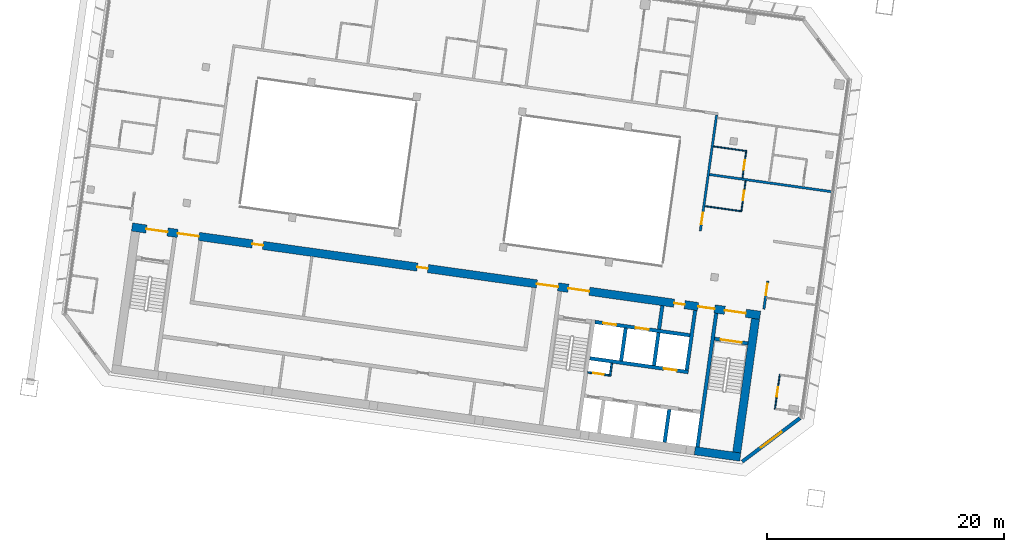
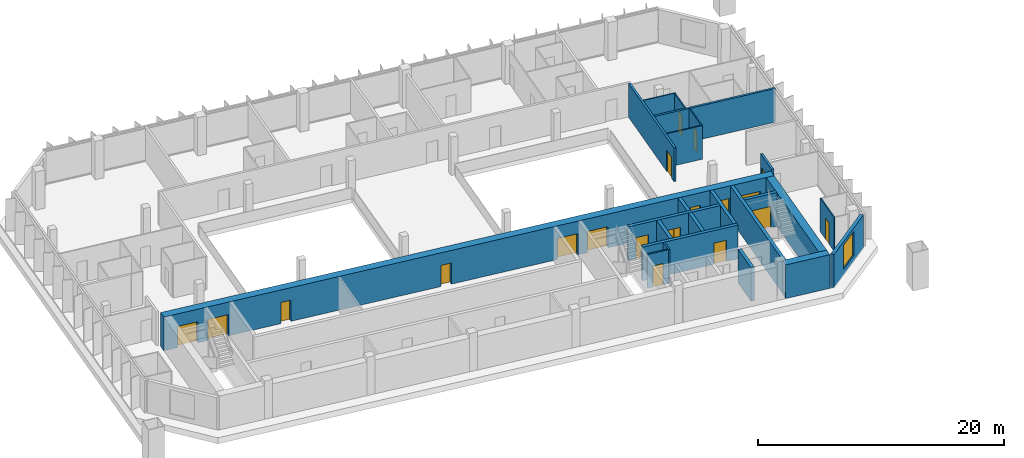
# One storey, part 18 of 31: 23 walls, 19 doors, 1 window, 20 openings.
"""IFC4 building model written with IfcOpenShell, lengths in metres."""

from ifc_helpers import new_model, si_unit, direction, frame, frame_2d, origin, place, context, subcontext, project, spatial, rectangle, extrude, material, layer, layer_set, type_object, element, fill, save


model = new_model("IFC4")

# Units and contexts
model_context = context("Model", 3, precision=1e-05, world=origin(), true_north=direction((0.0, 1.0)))
body_context = subcontext(model_context, "Body", "Model", "MODEL_VIEW")
ifc_project = project(units=[si_unit("LENGTHUNIT", "METRE"), si_unit("AREAUNIT", "SQUARE_METRE"), si_unit("VOLUMEUNIT", "CUBIC_METRE"), si_unit("PLANEANGLEUNIT", "RADIAN"), si_unit("MASSUNIT", "GRAM", prefix="KILO")], contexts=[model_context])

# Site, building, storey
site_placement = place(None, origin())
site = spatial("IfcSite", under=ifc_project, at=site_placement, CompositionType="ELEMENT")
building_placement = place(site_placement, origin())
building = spatial("IfcBuilding", under=site, at=building_placement, Name="Mirante Cascada Hotel Towers", CompositionType="ELEMENT")
storey_placement = place(building_placement, frame((0.0, 0.0, 157.4)))
storey = spatial("IfcBuildingStorey", under=building, at=storey_placement, Name="L36", CompositionType="ELEMENT", Elevation=157.4)

# Wall
ifc_material_1 = material(Name="Fire-rated plasterboard on metal studs")
ifc_layer_1 = layer(ifc_material_1, 0.2)
ifc_layer_set_1 = layer_set([ifc_layer_1], Name="Compartment wall 200 EI 120")
wall_type_1 = type_object("IfcWallType", Name="Compartment wall 200 EI 120", PredefinedType="PARTITIONING", material=ifc_layer_set_1)
wall_1_placement = place(storey_placement, frame((-39.8242, 4.2615, 0.0), z_axis=(0.0, 0.0, 1.0), x_axis=(0.9902681, -0.1391727, 0.0)))
element("IfcWall", 1, at=wall_1_placement, inside=storey, type_object=wall_type_1, Name="Wall 1-L36-14", PredefinedType="PARTITIONING", context=body_context, shape_type="SweptSolid", body=[
    extrude(rectangle(XDim=10.6357, YDim=0.2, at=frame_2d((5.3178, 0.0))), origin(), (0.0, 0.0, 1.0), 3.35),
])

# Wall, opening, door
wall_2_placement = place(storey_placement, frame((-35.2281, -7.1222, 0.0), z_axis=(0.0, 0.0, 1.0), x_axis=(0.1392101, 0.9902629, 0.0)))
wall_2 = element("IfcWall", 2, at=wall_2_placement, inside=storey, type_object=wall_type_1, Name="Wall 1-L36-29", PredefinedType="PARTITIONING", context=body_context, shape_type="SweptSolid", body=[
    extrude(rectangle(XDim=2.4, YDim=0.2, at=frame_2d((1.2, 0.0))), origin(), (0.0, 0.0, 1.0), 3.35),
])
opening_1_placement = place(wall_2_placement, frame((1.1833, 0.0, 0.0)))
opening_1 = element("IfcOpeningElement", 3, at=opening_1_placement, cuts=wall_2, Name="Opening D1-L36-20", PredefinedType="OPENING", context=body_context, shape_type="SweptSolid", body=[
    extrude(rectangle(XDim=1.0, YDim=2.1, at=frame_2d((0.5, 1.05))), frame((0.0, 0.1, 0.0), z_axis=(0.0, -1.0, 0.0), x_axis=(1.0, 0.0, 0.0)), (0.0, 0.0, 1.0), 0.2),
])
ifc_material_2 = material(Name="Fire-rated timber door leaf", Category="wood")
door_type_1 = type_object("IfcDoorType", Name="Entrance door DG1 1000x2100 EI 60", OperationType="SINGLE_SWING_LEFT", PredefinedType="DOOR", material=ifc_material_2)
door_1_placement = place(opening_1_placement, frame((1.0, 0.0, 0.0), z_axis=(0.0, 0.0, 1.0), x_axis=(-1.0, 0.0, 0.0)))
door_1 = element("IfcDoor", 4, at=door_1_placement, inside=storey, type_object=door_type_1, Name="Door D1-L36-20", OperationType="SINGLE_SWING_RIGHT", OverallHeight=2.1, OverallWidth=1.0, PredefinedType="DOOR", context=body_context, shape_type="SweptSolid", body=[
    extrude(rectangle(XDim=1.0, YDim=2.1, at=frame_2d((0.5, 1.05))), frame((0.0, 0.025, 0.0), z_axis=(0.0, -1.0, 0.0), x_axis=(1.0, 0.0, 0.0)), (0.0, 0.0, 1.0), 0.05),
])
fill(opening_1, door_1)

wall_3_placement = place(storey_placement, frame((-40.5959, -0.5108, 0.0), z_axis=(0.0, 0.0, 1.0), x_axis=(0.1391725, 0.9902682, 0.0)))
wall_3 = element("IfcWall", 5, at=wall_3_placement, inside=storey, type_object=wall_type_1, Name="Wall 1-L36-33", PredefinedType="PARTITIONING", context=body_context, shape_type="SweptSolid", body=[
    extrude(rectangle(XDim=9.8999, YDim=0.2, at=frame_2d((4.95, 0.0))), origin(), (0.0, 0.0, 1.0), 3.35),
])
opening_2_placement = place(wall_3_placement, frame((0.5667, 0.0, 0.0)))
opening_2 = element("IfcOpeningElement", 6, at=opening_2_placement, cuts=wall_3, Name="Opening D1-L36-23", PredefinedType="OPENING", context=body_context, shape_type="SweptSolid", body=[
    extrude(rectangle(XDim=1.0, YDim=2.1, at=frame_2d((0.5, 1.05))), frame((0.0, 0.1, 0.0), z_axis=(0.0, -1.0, 0.0), x_axis=(1.0, 0.0, 0.0)), (0.0, 0.0, 1.0), 0.2),
])
door_2_placement = place(opening_2_placement, frame((1.0, 0.0, 0.0), z_axis=(0.0, 0.0, 1.0), x_axis=(-1.0, 0.0, 0.0)))
door_2 = element("IfcDoor", 7, at=door_2_placement, inside=storey, type_object=door_type_1, Name="Door D1-L36-23", OperationType="SINGLE_SWING_RIGHT", OverallHeight=2.1, OverallWidth=1.0, PredefinedType="DOOR", context=body_context, shape_type="SweptSolid", body=[
    extrude(rectangle(XDim=1.0, YDim=2.1, at=frame_2d((0.5, 1.05))), frame((0.0, 0.025, 0.0), z_axis=(0.0, -1.0, 0.0), x_axis=(1.0, 0.0, 0.0)), (0.0, 0.0, 1.0), 0.05),
])
fill(opening_2, door_2)

# Wall
ifc_material_3 = material(Name="Masonry block", Category="masonry")
ifc_layer_2 = layer(ifc_material_3, 0.15)
ifc_layer_set_2 = layer_set([ifc_layer_2], Name="Core room partition 150 block EI 30")
wall_type_2 = type_object("IfcWallType", Name="Core room partition 150 block EI 30", PredefinedType="PARTITIONING", material=ifc_layer_set_2)
wall_4_placement = place(storey_placement, frame((-48.2295, -12.793, 0.0), z_axis=(0.0, 0.0, 1.0), x_axis=(0.1391935, 0.9902652, 0.0)))
element("IfcWall", 8, at=wall_4_placement, inside=storey, type_object=wall_type_2, Name="Core wall partition T1 L36 2", PredefinedType="PARTITIONING", context=body_context, shape_type="SweptSolid", body=[
    extrude(rectangle(XDim=1.1251, YDim=0.15, at=frame_2d((0.5626, 0.0))), origin(), (0.0, 0.0, 1.0), 3.35),
])

# Wall, opening, door
wall_5_placement = place(storey_placement, frame((-48.2933, -12.7083, 0.0), z_axis=(0.0, 0.0, 1.0), x_axis=(-0.990268, 0.1391734, 0.0)))
wall_5 = element("IfcWall", 9, at=wall_5_placement, inside=storey, type_object=wall_type_2, Name="Core wall partition T1 L36 3", PredefinedType="PARTITIONING", context=body_context, shape_type="SweptSolid", body=[
    extrude(rectangle(XDim=1.8251, YDim=0.15, at=frame_2d((0.9126, 0.0))), origin(), (0.0, 0.0, 1.0), 3.35),
])
opening_3_placement = place(wall_5_placement, frame((0.4625, 0.0, 0.0)))
opening_3 = element("IfcOpeningElement", 10, at=opening_3_placement, cuts=wall_5, Name="Opening D1-36-C17", PredefinedType="OPENING", context=body_context, shape_type="SweptSolid", body=[
    extrude(rectangle(XDim=0.9, YDim=2.1, at=frame_2d((0.45, 1.05))), frame((0.0, 0.075, 0.0), z_axis=(0.0, -1.0, 0.0), x_axis=(1.0, 0.0, 0.0)), (0.0, 0.0, 1.0), 0.15),
])
ifc_material_4 = material(Name="Hollow metal fire door leaf")
door_type_2 = type_object("IfcDoorType", Name="Fire door 900x2100 FD60", OperationType="NOTDEFINED", PredefinedType="DOOR", material=ifc_material_4)
door_3_placement = place(opening_3_placement, origin())
door_3 = element("IfcDoor", 11, at=door_3_placement, inside=storey, type_object=door_type_2, Name="Riser door T1 L36 17", OperationType="SINGLE_SWING_LEFT", OverallHeight=2.1, OverallWidth=0.9, PredefinedType="DOOR", context=body_context, shape_type="SweptSolid", body=[
    extrude(rectangle(XDim=0.9, YDim=2.1, at=frame_2d((0.45, 1.05))), frame((0.0, 0.025, 0.0), z_axis=(0.0, -1.0, 0.0), x_axis=(1.0, 0.0, 0.0)), (0.0, 0.0, 1.0), 0.05),
])
fill(opening_3, door_3)

# Walls
ifc_material_5 = material(Name="Masonry block", Category="masonry")
ifc_layer_3 = layer(ifc_material_5, 0.3)
ifc_layer_set_3 = layer_set([ifc_layer_3], Name="Core wall 300 block EI 120")
wall_type_3 = type_object("IfcWallType", Name="Core wall 300 block EI 120", PredefinedType="PARTITIONING", material=ifc_layer_set_3)
wall_6_placement = place(storey_placement, frame((-44.0843, -8.8061, 0.0), z_axis=(0.0, 0.0, 1.0), x_axis=(0.1391951, 0.990265, 0.0)))
element("IfcWall", 12, at=wall_6_placement, inside=storey, type_object=wall_type_3, Name="Core wall partition T1 L36 1", PredefinedType="PARTITIONING", context=body_context, shape_type="SweptSolid", body=[
    extrude(rectangle(XDim=2.0001, YDim=0.3, at=frame_2d((1.0001, 0.0))), origin(), (0.0, 0.0, 1.0), 3.35),
])
ifc_material_6 = material(Name="Plasterboard on metal studs")
ifc_layer_4 = layer(ifc_material_6, 0.1)
ifc_layer_set_4 = layer_set([ifc_layer_4], Name="Partition 100")
wall_type_4 = type_object("IfcWallType", Name="Partition 100", PredefinedType="PARTITIONING", material=ifc_layer_set_4)
wall_7_placement = place(storey_placement, frame((-37.0806, 1.1494, 0.0), z_axis=(0.0, 0.0, 1.0), x_axis=(-0.9902676, 0.1391765, 0.0)))
element("IfcWall", 13, at=wall_7_placement, inside=storey, type_object=wall_type_4, Name="Wall 1-L36-11", PredefinedType="PARTITIONING", context=body_context, shape_type="SweptSolid", body=[
    extrude(rectangle(XDim=3.15, YDim=0.1, at=frame_2d((1.575, 0.0))), origin(), (0.0, 0.0, 1.0), 3.35),
])
wall_8_placement = place(storey_placement, frame((-36.6679, 6.2415, 0.0), z_axis=(0.0, 0.0, 1.0), x_axis=(-0.9902704, 0.1391564, 0.0)))
element("IfcWall", 14, at=wall_8_placement, inside=storey, type_object=wall_type_4, Name="Wall 1-L36-17", PredefinedType="PARTITIONING", context=body_context, shape_type="SweptSolid", body=[
    extrude(rectangle(XDim=2.85, YDim=0.1, at=frame_2d((1.425, 0.0))), origin(), (0.0, 0.0, 1.0), 3.35),
])

# Wall, opening, door
wall_9_placement = place(storey_placement, frame((-34.2967, -15.5842, 0.0), z_axis=(0.0, 0.0, 1.0), x_axis=(0.139167, 0.9902689, 0.0)))
wall_9 = element("IfcWall", 15, at=wall_9_placement, inside=storey, type_object=wall_type_4, Name="Wall 1-L36-27", PredefinedType="PARTITIONING", context=body_context, shape_type="SweptSolid", body=[
    extrude(rectangle(XDim=3.0, YDim=0.1, at=frame_2d((1.5, 0.0))), origin(), (0.0, 0.0, 1.0), 3.35),
])
opening_4_placement = place(wall_9_placement, frame((1.1, 0.0, 0.0)))
opening_4 = element("IfcOpeningElement", 16, at=opening_4_placement, cuts=wall_9, Name="Opening D1-L36-18", PredefinedType="OPENING", context=body_context, shape_type="SweptSolid", body=[
    extrude(rectangle(XDim=0.8, YDim=2.1, at=frame_2d((0.4, 1.05))), frame((0.0, 0.05, 0.0), z_axis=(0.0, -1.0, 0.0), x_axis=(1.0, 0.0, 0.0)), (0.0, 0.0, 1.0), 0.1),
])
ifc_material_7 = material(Name="Timber door leaf", Category="wood")
door_type_3 = type_object("IfcDoorType", Name="Bathroom door DG4 800x2100", OperationType="SINGLE_SWING_LEFT", PredefinedType="DOOR", material=ifc_material_7)
door_4_placement = place(opening_4_placement, origin())
door_4 = element("IfcDoor", 17, at=door_4_placement, inside=storey, type_object=door_type_3, Name="Door D1-L36-18", OperationType="SINGLE_SWING_LEFT", OverallHeight=2.1, OverallWidth=0.8, PredefinedType="DOOR", context=body_context, shape_type="SweptSolid", body=[
    extrude(rectangle(XDim=0.8, YDim=2.1, at=frame_2d((0.4, 1.05))), frame((0.0, 0.025, 0.0), z_axis=(0.0, -1.0, 0.0), x_axis=(1.0, 0.0, 0.0)), (0.0, 0.0, 1.0), 0.05),
])
fill(opening_4, door_4)

wall_10_placement = place(storey_placement, frame((-37.1232, 1.2059, 0.0), z_axis=(0.0, 0.0, 1.0), x_axis=(0.1391809, 0.990267, 0.0)))
wall_10 = element("IfcWall", 18, at=wall_10_placement, inside=storey, type_object=wall_type_4, Name="Wall 1-L36-31", PredefinedType="PARTITIONING", context=body_context, shape_type="SweptSolid", body=[
    extrude(rectangle(XDim=2.5499, YDim=0.1, at=frame_2d((1.275, 0.0))), origin(), (0.0, 0.0, 1.0), 3.35),
])
opening_5_placement = place(wall_10_placement, frame((0.9, 0.0, 0.0)))
opening_5 = element("IfcOpeningElement", 19, at=opening_5_placement, cuts=wall_10, Name="Opening D1-L36-21", PredefinedType="OPENING", context=body_context, shape_type="SweptSolid", body=[
    extrude(rectangle(XDim=0.8, YDim=2.1, at=frame_2d((0.4, 1.05))), frame((0.0, 0.05, 0.0), z_axis=(0.0, -1.0, 0.0), x_axis=(1.0, 0.0, 0.0)), (0.0, 0.0, 1.0), 0.1),
])
door_5_placement = place(opening_5_placement, frame((0.8, 0.0, 0.0), z_axis=(0.0, 0.0, 1.0), x_axis=(-1.0, 0.0, 0.0)))
door_5 = element("IfcDoor", 20, at=door_5_placement, inside=storey, type_object=door_type_3, Name="Door D1-L36-21", OperationType="SINGLE_SWING_RIGHT", OverallHeight=2.1, OverallWidth=0.8, PredefinedType="DOOR", context=body_context, shape_type="SweptSolid", body=[
    extrude(rectangle(XDim=0.8, YDim=2.1, at=frame_2d((0.4, 1.05))), frame((0.0, 0.025, 0.0), z_axis=(0.0, -1.0, 0.0), x_axis=(1.0, 0.0, 0.0)), (0.0, 0.0, 1.0), 0.05),
])
fill(opening_5, door_5)

wall_11_placement = place(storey_placement, frame((-36.7244, 6.1989, 0.0), z_axis=(0.0, 0.0, 1.0), x_axis=(-0.1391561, -0.9902705, 0.0)))
wall_11 = element("IfcWall", 21, at=wall_11_placement, inside=storey, type_object=wall_type_4, Name="Wall 1-L36-32", PredefinedType="PARTITIONING", context=body_context, shape_type="SweptSolid", body=[
    extrude(rectangle(XDim=2.25, YDim=0.1, at=frame_2d((1.125, 0.0))), origin(), (0.0, 0.0, 1.0), 3.35),
])
opening_6_placement = place(wall_11_placement, frame((0.75, 0.0, 0.0)))
opening_6 = element("IfcOpeningElement", 22, at=opening_6_placement, cuts=wall_11, Name="Opening D1-L36-22", PredefinedType="OPENING", context=body_context, shape_type="SweptSolid", body=[
    extrude(rectangle(XDim=0.8, YDim=2.1, at=frame_2d((0.4, 1.05))), frame((0.0, 0.05, 0.0), z_axis=(0.0, -1.0, 0.0), x_axis=(1.0, 0.0, 0.0)), (0.0, 0.0, 1.0), 0.1),
])
door_6_placement = place(opening_6_placement, frame((0.8, 0.0, 0.0), z_axis=(0.0, 0.0, 1.0), x_axis=(-1.0, 0.0, 0.0)))
door_6 = element("IfcDoor", 23, at=door_6_placement, inside=storey, type_object=door_type_3, Name="Door D1-L36-22", OperationType="SINGLE_SWING_RIGHT", OverallHeight=2.1, OverallWidth=0.8, PredefinedType="DOOR", context=body_context, shape_type="SweptSolid", body=[
    extrude(rectangle(XDim=0.8, YDim=2.1, at=frame_2d((0.4, 1.05))), frame((0.0, 0.025, 0.0), z_axis=(0.0, -1.0, 0.0), x_axis=(1.0, 0.0, 0.0)), (0.0, 0.0, 1.0), 0.05),
])
fill(opening_6, door_6)

# Wall, opening, window
ifc_material_8 = material(Name="Precast concrete C40/50", Category="concrete")
ifc_layer_5 = layer(ifc_material_8, 0.3)
ifc_layer_set_5 = layer_set([ifc_layer_5], Name="Precast concrete C40/50 cladding wall 300")
wall_type_5 = type_object("IfcWallType", Name="Precast concrete C40/50 cladding wall 300", PredefinedType="STANDARD", material=ifc_layer_set_5)
wall_12_placement = place(storey_placement, frame((-32.172, -16.3188, 0.0), z_axis=(0.0, 0.0, 1.0), x_axis=(-0.7986362, -0.6018141, 0.0)))
wall_12 = element("IfcWall", 24, at=wall_12_placement, inside=storey, type_object=wall_type_5, Name="Corner cladding wall T1 L36 inner rear", PredefinedType="STANDARD", context=body_context, shape_type="SweptSolid", body=[
    extrude(rectangle(XDim=6.1157, YDim=0.3, at=frame_2d((3.0578, 0.0))), origin(), (0.0, 0.0, 1.0), 3.35),
])
opening_7_placement = place(wall_12_placement, frame((1.9578, 0.0, 0.6)))
opening_7 = element("IfcOpeningElement", 25, at=opening_7_placement, cuts=wall_12, Name="Opening W1-36-04", PredefinedType="OPENING", context=body_context, shape_type="SweptSolid", body=[
    extrude(rectangle(XDim=2.2, YDim=2.4, at=frame_2d((1.1, 1.2))), frame((0.0, 0.15, 0.0), z_axis=(0.0, -1.0, 0.0), x_axis=(1.0, 0.0, 0.0)), (0.0, 0.0, 1.0), 0.3),
])
ifc_material_9 = material(Name="Aluminium frame with clear double glazing", Category="aluminium")
window_type = type_object("IfcWindowType", Name="Corner suite window 2200x2400", PartitioningType="DOUBLE_PANEL_VERTICAL", PredefinedType="WINDOW", material=ifc_material_9)
window_placement = place(opening_7_placement, origin())
window = element("IfcWindow", 26, at=window_placement, inside=storey, type_object=window_type, Name="Window W1-36-04", OverallHeight=2.4, OverallWidth=2.2, PartitioningType="SINGLE_PANEL", PredefinedType="WINDOW", context=body_context, shape_type="SweptSolid", body=[
    extrude(rectangle(XDim=2.2, YDim=2.4, at=frame_2d((1.1, 1.2))), frame((0.0, 0.03, 0.0), z_axis=(0.0, -1.0, 0.0), x_axis=(1.0, 0.0, 0.0)), (0.0, 0.0, 1.0), 0.06),
])
fill(opening_7, window)

# Wall
ifc_material_10 = material(Name="Concrete C50/60", Category="concrete")
ifc_layer_6 = layer(ifc_material_10, 0.3)
ifc_layer_set_6 = layer_set([ifc_layer_6], Name="RC core wall 300 C50/60")
wall_type_6 = type_object("IfcWallType", Name="RC core wall 300 C50/60", PredefinedType="SHEAR", material=ifc_layer_set_6)
wall_13_placement = place(storey_placement, frame((-40.8373, -18.7548, 0.0), z_axis=(0.0, 0.0, 1.0), x_axis=(0.1391749, 0.9902678, 0.0)))
element("IfcWall", 27, at=wall_13_placement, inside=storey, type_object=wall_type_6, Name="Core wall T1:L36:5", PredefinedType="SHEAR", context=body_context, shape_type="SweptSolid", body=[
    extrude(rectangle(XDim=11.4, YDim=0.3, at=frame_2d((5.7, 0.0))), origin(), (0.0, 0.0, 1.0), 3.35),
])

# Wall, opening, door
wall_14_placement = place(storey_placement, frame((-36.5791, -10.0123, 0.0), z_axis=(0.0, 0.0, 1.0), x_axis=(-0.9902704, 0.1391564, 0.0)))
wall_14 = element("IfcWall", 28, at=wall_14_placement, inside=storey, type_object=wall_type_6, Name="Core wall T1:L36:9", PredefinedType="SHEAR", context=body_context, shape_type="SweptSolid", body=[
    extrude(rectangle(XDim=2.85, YDim=0.3, at=frame_2d((1.425, 0.0))), origin(), (0.0, 0.0, 1.0), 3.35),
])
opening_8_placement = place(wall_14_placement, frame((0.525, 0.0, 0.0)))
opening_8 = element("IfcOpeningElement", 29, at=opening_8_placement, cuts=wall_14, Name="Opening D1-36-C07", PredefinedType="OPENING", context=body_context, shape_type="SweptSolid", body=[
    extrude(rectangle(XDim=1.8, YDim=2.1, at=frame_2d((0.9, 1.05))), frame((0.0, 0.15, 0.0), z_axis=(0.0, -1.0, 0.0), x_axis=(1.0, 0.0, 0.0)), (0.0, 0.0, 1.0), 0.3),
])
ifc_material_11 = material(Name="Hollow metal fire door leaf")
door_type_4 = type_object("IfcDoorType", Name="Double fire door 1800x2100 FD60", OperationType="DOUBLE_DOOR_SINGLE_SWING", PredefinedType="DOOR", material=ifc_material_11)
door_7_placement = place(opening_8_placement, origin())
door_7 = element("IfcDoor", 30, at=door_7_placement, inside=storey, type_object=door_type_4, Name="Stair door T1 L36 7", OperationType="DOUBLE_DOOR_SINGLE_SWING", OverallHeight=2.1, OverallWidth=1.8, PredefinedType="DOOR", context=body_context, shape_type="SweptSolid", body=[
    extrude(rectangle(XDim=0.895, YDim=2.1, at=frame_2d((0.4475, 1.05))), frame((0.0, 0.025, 0.0), z_axis=(0.0, -1.0, 0.0), x_axis=(1.0, 0.0, 0.0)), (0.0, 0.0, 1.0), 0.05),
    extrude(rectangle(XDim=0.895, YDim=2.1, at=frame_2d((1.3525, 1.05))), frame((0.0, 0.025, 0.0), z_axis=(0.0, -1.0, 0.0), x_axis=(1.0, 0.0, 0.0)), (0.0, 0.0, 1.0), 0.05),
])
fill(opening_8, door_7)

wall_15_placement = place(storey_placement, frame((-41.6153, -12.435, 0.0), z_axis=(0.0, 0.0, 1.0), x_axis=(-0.9902691, 0.139166, 0.0)))
wall_15 = element("IfcWall", 31, at=wall_15_placement, inside=storey, type_object=wall_type_6, Name="Core wall T1:L36:13", PredefinedType="SHEAR", context=body_context, shape_type="SweptSolid", body=[
    extrude(rectangle(XDim=8.4, YDim=0.3, at=frame_2d((4.2, 0.0))), origin(), (0.0, 0.0, 1.0), 3.35),
])
opening_9_placement = place(wall_15_placement, frame((1.0, 0.0, 0.0)))
opening_9 = element("IfcOpeningElement", 32, at=opening_9_placement, cuts=wall_15, Name="Opening LD", PredefinedType="OPENING", context=body_context, shape_type="SweptSolid", body=[
    extrude(rectangle(XDim=1.1, YDim=2.1, at=frame_2d((0.55, 1.05))), frame((0.0, 0.15, 0.0), z_axis=(0.0, -1.0, 0.0), x_axis=(1.0, 0.0, 0.0)), (0.0, 0.0, 1.0), 0.3),
])
ifc_material_12 = material(Name="Stainless steel", Category="steel")
door_type_5 = type_object("IfcDoorType", Name="Lift landing door 1100x2100 EI 120", OperationType="DOUBLE_DOOR_SLIDING", PredefinedType="DOOR", material=ifc_material_12)
door_8_placement = place(opening_9_placement, origin())
door_8 = element("IfcDoor", 33, at=door_8_placement, inside=storey, type_object=door_type_5, Name="Lift landing door HR1-4 L36", OperationType="DOUBLE_DOOR_SLIDING", OverallHeight=2.1, OverallWidth=1.1, PredefinedType="DOOR", context=body_context, shape_type="SweptSolid", body=[
    extrude(rectangle(XDim=0.545, YDim=2.1, at=frame_2d((0.2725, 1.05))), frame((0.0, 0.025, 0.0), z_axis=(0.0, -1.0, 0.0), x_axis=(1.0, 0.0, 0.0)), (0.0, 0.0, 1.0), 0.05),
    extrude(rectangle(XDim=0.545, YDim=2.1, at=frame_2d((0.8275, 1.05))), frame((0.0, 0.025, 0.0), z_axis=(0.0, -1.0, 0.0), x_axis=(1.0, 0.0, 0.0)), (0.0, 0.0, 1.0), 0.05),
])
fill(opening_9, door_8)

# Wall, openings, doors
wall_16_placement = place(storey_placement, frame((-41.481, -9.3234, 0.0), z_axis=(0.0, 0.0, 1.0), x_axis=(-0.9902679, 0.1391741, 0.0)))
wall_16 = element("IfcWall", 34, at=wall_16_placement, inside=storey, type_object=wall_type_6, Name="Core wall T1:L36:14", PredefinedType="SHEAR", context=body_context, shape_type="SweptSolid", body=[
    extrude(rectangle(XDim=8.0999, YDim=0.3, at=frame_2d((4.05, 0.0))), origin(), (0.0, 0.0, 1.0), 3.35),
])
opening_10_placement = place(wall_16_placement, frame((3.5, 0.0, 0.0)))
opening_10 = element("IfcOpeningElement", 35, at=opening_10_placement, cuts=wall_16, Name="Opening LD", PredefinedType="OPENING", context=body_context, shape_type="SweptSolid", body=[
    extrude(rectangle(XDim=1.1, YDim=2.1, at=frame_2d((0.55, 1.05))), frame((0.0, 0.15, 0.0), z_axis=(0.0, -1.0, 0.0), x_axis=(1.0, 0.0, 0.0)), (0.0, 0.0, 1.0), 0.3),
])
opening_11_placement = place(wall_16_placement, frame((6.3, 0.0, 0.0)))
opening_11 = element("IfcOpeningElement", 36, at=opening_11_placement, cuts=wall_16, Name="Opening LD", PredefinedType="OPENING", context=body_context, shape_type="SweptSolid", body=[
    extrude(rectangle(XDim=1.1, YDim=2.1, at=frame_2d((0.55, 1.05))), frame((0.0, 0.15, 0.0), z_axis=(0.0, -1.0, 0.0), x_axis=(1.0, 0.0, 0.0)), (0.0, 0.0, 1.0), 0.3),
])
door_9_placement = place(opening_10_placement, origin())
door_9 = element("IfcDoor", 37, at=door_9_placement, inside=storey, type_object=door_type_5, Name="Lift landing door FF1 L36", OperationType="DOUBLE_DOOR_SLIDING", OverallHeight=2.1, OverallWidth=1.1, PredefinedType="DOOR", context=body_context, shape_type="SweptSolid", body=[
    extrude(rectangle(XDim=0.545, YDim=2.1, at=frame_2d((0.2725, 1.05))), frame((0.0, 0.025, 0.0), z_axis=(0.0, -1.0, 0.0), x_axis=(1.0, 0.0, 0.0)), (0.0, 0.0, 1.0), 0.05),
    extrude(rectangle(XDim=0.545, YDim=2.1, at=frame_2d((0.8275, 1.05))), frame((0.0, 0.025, 0.0), z_axis=(0.0, -1.0, 0.0), x_axis=(1.0, 0.0, 0.0)), (0.0, 0.0, 1.0), 0.05),
])
fill(opening_10, door_9)
door_10_placement = place(opening_11_placement, origin())
door_10 = element("IfcDoor", 38, at=door_10_placement, inside=storey, type_object=door_type_5, Name="Lift landing door FF2 L36", OperationType="DOUBLE_DOOR_SLIDING", OverallHeight=2.1, OverallWidth=1.1, PredefinedType="DOOR", context=body_context, shape_type="SweptSolid", body=[
    extrude(rectangle(XDim=0.545, YDim=2.1, at=frame_2d((0.2725, 1.05))), frame((0.0, 0.025, 0.0), z_axis=(0.0, -1.0, 0.0), x_axis=(1.0, 0.0, 0.0)), (0.0, 0.0, 1.0), 0.05),
    extrude(rectangle(XDim=0.545, YDim=2.1, at=frame_2d((0.8275, 1.05))), frame((0.0, 0.025, 0.0), z_axis=(0.0, -1.0, 0.0), x_axis=(1.0, 0.0, 0.0)), (0.0, 0.0, 1.0), 0.05),
])
fill(opening_11, door_10)

# Walls
wall_17_placement = place(storey_placement, frame((-43.61, -18.3651, 0.0), z_axis=(0.0, 0.0, 1.0), x_axis=(0.1391459, 0.9902719, 0.0)))
element("IfcWall", 39, at=wall_17_placement, inside=storey, type_object=wall_type_6, Name="Core wall T1:L36:15", PredefinedType="SHEAR", context=body_context, shape_type="SweptSolid", body=[
    extrude(rectangle(XDim=2.7999, YDim=0.3, at=frame_2d((1.4, 0.0))), origin(), (0.0, 0.0, 1.0), 3.35),
])
for number, where, z_axis, x_axis, name in (
    (40, (-44.5157, -11.8759, 0.0), (0.0, 0.0, 1.0), (0.139181, 0.990267, 0.0), "Core wall T1:L36:18"),
    (41, (-47.2885, -11.4862, 0.0), (0.0, 0.0, 1.0), (0.139181, 0.990267, 0.0), "Core wall T1:L36:19"),
):
    element("IfcWall", number, at=place(storey_placement, frame(where, z_axis=z_axis, x_axis=x_axis)), inside=storey, type_object=wall_type_6, Name=name, PredefinedType="SHEAR", context=body_context, shape_type="SweptSolid", body=[
        extrude(rectangle(XDim=2.8, YDim=0.3, at=frame_2d((1.4, 0.0))), origin(), (0.0, 0.0, 1.0), 3.35),
    ])
wall_18_placement = place(storey_placement, frame((-41.743, -12.2656, 0.0), z_axis=(0.0, 0.0, 1.0), x_axis=(0.1391755, 0.9902677, 0.0)))
element("IfcWall", 42, at=wall_18_placement, inside=storey, type_object=wall_type_6, Name="Core wall T1:L36:20", PredefinedType="SHEAR", context=body_context, shape_type="SweptSolid", body=[
    extrude(rectangle(XDim=5.1, YDim=0.3, at=frame_2d((2.55, 0.0))), origin(), (0.0, 0.0, 1.0), 3.35),
])
ifc_material_13 = material(Name="Concrete C50/60", Category="concrete")
ifc_layer_7 = layer(ifc_material_13, 0.7)
ifc_layer_set_7 = layer_set([ifc_layer_7], Name="RC core wall 700 C50/60")
wall_type_7 = type_object("IfcWallType", Name="RC core wall 700 C50/60", PredefinedType="SHEAR", material=ifc_layer_set_7)
wall_19_placement = place(storey_placement, frame((-37.222, -19.6163, 0.0), z_axis=(0.0, 0.0, 1.0), x_axis=(-0.99027, 0.1391597, 0.0)))
element("IfcWall", 43, at=wall_19_placement, inside=storey, type_object=wall_type_7, Name="Core wall T1:L36:1.1", PredefinedType="SHEAR", context=body_context, shape_type="SweptSolid", body=[
    extrude(rectangle(XDim=3.8819, YDim=0.7, at=frame_2d((1.941, 0.0))), origin(), (0.0, 0.0, 1.0), 3.35),
])

# Wall, openings, doors
wall_20_placement = place(storey_placement, frame((-35.538, -7.6341, 0.0), z_axis=(0.0, 0.0, 1.0), x_axis=(-0.990268, 0.1391734, 0.0)))
wall_20 = element("IfcWall", 44, at=wall_20_placement, inside=storey, type_object=wall_type_7, Name="Core wall T1:L36:2", PredefinedType="SHEAR", context=body_context, shape_type="SweptSolid", body=[
    extrude(rectangle(XDim=53.6, YDim=0.7, at=frame_2d((26.8, 0.0))), origin(), (0.0, 0.0, 1.0), 3.35),
])
opening_12_placement = place(wall_20_placement, frame((1.225, 0.0, 0.0)))
opening_12 = element("IfcOpeningElement", 45, at=opening_12_placement, cuts=wall_20, Name="Opening D1-36-C08", PredefinedType="OPENING", context=body_context, shape_type="SweptSolid", body=[
    extrude(rectangle(XDim=1.8, YDim=2.1, at=frame_2d((0.9, 1.05))), frame((0.0, 0.35, 0.0), z_axis=(0.0, -1.0, 0.0), x_axis=(1.0, 0.0, 0.0)), (0.0, 0.0, 1.0), 0.7),
])
opening_13_placement = place(wall_20_placement, frame((14.575, 0.0, 0.0)))
opening_13 = element("IfcOpeningElement", 46, at=opening_13_placement, cuts=wall_20, Name="Opening D1-36-C10", PredefinedType="OPENING", context=body_context, shape_type="SweptSolid", body=[
    extrude(rectangle(XDim=1.8, YDim=2.1, at=frame_2d((0.9, 1.05))), frame((0.0, 0.35, 0.0), z_axis=(0.0, -1.0, 0.0), x_axis=(1.0, 0.0, 0.0)), (0.0, 0.0, 1.0), 0.7),
])
opening_14_placement = place(wall_20_placement, frame((50.575, 0.0, 0.0)))
opening_14 = element("IfcOpeningElement", 47, at=opening_14_placement, cuts=wall_20, Name="Opening D1-36-C12", PredefinedType="OPENING", context=body_context, shape_type="SweptSolid", body=[
    extrude(rectangle(XDim=1.8, YDim=2.1, at=frame_2d((0.9, 1.05))), frame((0.0, 0.35, 0.0), z_axis=(0.0, -1.0, 0.0), x_axis=(1.0, 0.0, 0.0)), (0.0, 0.0, 1.0), 0.7),
])
opening_15_placement = place(wall_20_placement, frame((3.9, 0.0, 0.0)))
opening_15 = element("IfcOpeningElement", 48, at=opening_15_placement, cuts=wall_20, Name="Opening D1-36-C13", PredefinedType="OPENING", context=body_context, shape_type="SweptSolid", body=[
    extrude(rectangle(XDim=1.4, YDim=2.1, at=frame_2d((0.7, 1.05))), frame((0.0, 0.35, 0.0), z_axis=(0.0, -1.0, 0.0), x_axis=(1.0, 0.0, 0.0)), (0.0, 0.0, 1.0), 0.7),
])
opening_16_placement = place(wall_20_placement, frame((17.25, 0.0, 0.0)))
opening_16 = element("IfcOpeningElement", 49, at=opening_16_placement, cuts=wall_20, Name="Opening D1-36-C14", PredefinedType="OPENING", context=body_context, shape_type="SweptSolid", body=[
    extrude(rectangle(XDim=1.8, YDim=2.1, at=frame_2d((0.9, 1.05))), frame((0.0, 0.35, 0.0), z_axis=(0.0, -1.0, 0.0), x_axis=(1.0, 0.0, 0.0)), (0.0, 0.0, 1.0), 0.7),
])
opening_17_placement = place(wall_20_placement, frame((47.9, 0.0, 0.0)))
opening_17 = element("IfcOpeningElement", 50, at=opening_17_placement, cuts=wall_20, Name="Opening D1-36-C15", PredefinedType="OPENING", context=body_context, shape_type="SweptSolid", body=[
    extrude(rectangle(XDim=1.8, YDim=2.1, at=frame_2d((0.9, 1.05))), frame((0.0, 0.35, 0.0), z_axis=(0.0, -1.0, 0.0), x_axis=(1.0, 0.0, 0.0)), (0.0, 0.0, 1.0), 0.7),
])
opening_18_placement = place(wall_20_placement, frame((6.45, 0.0, 0.0)))
opening_18 = element("IfcOpeningElement", 51, at=opening_18_placement, cuts=wall_20, Name="Opening D1-36-C18", PredefinedType="OPENING", context=body_context, shape_type="SweptSolid", body=[
    extrude(rectangle(XDim=0.9, YDim=2.1, at=frame_2d((0.45, 1.05))), frame((0.0, 0.35, 0.0), z_axis=(0.0, -1.0, 0.0), x_axis=(1.0, 0.0, 0.0)), (0.0, 0.0, 1.0), 0.7),
])
opening_19_placement = place(wall_20_placement, frame((28.35, 0.0, 0.0)))
opening_19 = element("IfcOpeningElement", 52, at=opening_19_placement, cuts=wall_20, Name="Opening D1-36-C23", PredefinedType="OPENING", context=body_context, shape_type="SweptSolid", body=[
    extrude(rectangle(XDim=0.9, YDim=2.1, at=frame_2d((0.45, 1.05))), frame((0.0, 0.35, 0.0), z_axis=(0.0, -1.0, 0.0), x_axis=(1.0, 0.0, 0.0)), (0.0, 0.0, 1.0), 0.7),
])
opening_20_placement = place(wall_20_placement, frame((42.425, 0.0, 0.0)))
opening_20 = element("IfcOpeningElement", 53, at=opening_20_placement, cuts=wall_20, Name="Opening D1-36-C24", PredefinedType="OPENING", context=body_context, shape_type="SweptSolid", body=[
    extrude(rectangle(XDim=0.9, YDim=2.1, at=frame_2d((0.45, 1.05))), frame((0.0, 0.35, 0.0), z_axis=(0.0, -1.0, 0.0), x_axis=(1.0, 0.0, 0.0)), (0.0, 0.0, 1.0), 0.7),
])
ifc_material_14 = material(Name="Hollow metal fire door leaf")
door_type_6 = type_object("IfcDoorType", Name="Double fire door 1400x2100 FD60", OperationType="DOUBLE_DOOR_SINGLE_SWING", PredefinedType="DOOR", material=ifc_material_14)
door_11_placement = place(opening_15_placement, frame((1.4, 0.0, 0.0), z_axis=(0.0, 0.0, 1.0), x_axis=(-1.0, 0.0, 0.0)))
door_11 = element("IfcDoor", 54, at=door_11_placement, inside=storey, type_object=door_type_6, Name="Exit door to gallery T1 L36 13", OperationType="DOUBLE_DOOR_SINGLE_SWING", OverallHeight=2.1, OverallWidth=1.4, PredefinedType="DOOR", context=body_context, shape_type="SweptSolid", body=[
    extrude(rectangle(XDim=0.695, YDim=2.1, at=frame_2d((0.3475, 1.05))), frame((0.0, 0.025, 0.0), z_axis=(0.0, -1.0, 0.0), x_axis=(1.0, 0.0, 0.0)), (0.0, 0.0, 1.0), 0.05),
    extrude(rectangle(XDim=0.695, YDim=2.1, at=frame_2d((1.0525, 1.05))), frame((0.0, 0.025, 0.0), z_axis=(0.0, -1.0, 0.0), x_axis=(1.0, 0.0, 0.0)), (0.0, 0.0, 1.0), 0.05),
])
fill(opening_15, door_11)
door_12_placement = place(opening_12_placement, origin())
door_12 = element("IfcDoor", 55, at=door_12_placement, inside=storey, type_object=door_type_4, Name="Exit door to gallery T1 L36 8", OperationType="DOUBLE_DOOR_SINGLE_SWING", OverallHeight=2.1, OverallWidth=1.8, PredefinedType="DOOR", context=body_context, shape_type="SweptSolid", body=[
    extrude(rectangle(XDim=0.895, YDim=2.1, at=frame_2d((0.4475, 1.05))), frame((0.0, 0.025, 0.0), z_axis=(0.0, -1.0, 0.0), x_axis=(1.0, 0.0, 0.0)), (0.0, 0.0, 1.0), 0.05),
    extrude(rectangle(XDim=0.895, YDim=2.1, at=frame_2d((1.3525, 1.05))), frame((0.0, 0.025, 0.0), z_axis=(0.0, -1.0, 0.0), x_axis=(1.0, 0.0, 0.0)), (0.0, 0.0, 1.0), 0.05),
])
fill(opening_12, door_12)
door_13_placement = place(opening_13_placement, origin())
door_13 = element("IfcDoor", 56, at=door_13_placement, inside=storey, type_object=door_type_4, Name="Exit door to gallery T1 L36 10", OperationType="DOUBLE_DOOR_SINGLE_SWING", OverallHeight=2.1, OverallWidth=1.8, PredefinedType="DOOR", context=body_context, shape_type="SweptSolid", body=[
    extrude(rectangle(XDim=0.895, YDim=2.1, at=frame_2d((0.4475, 1.05))), frame((0.0, 0.025, 0.0), z_axis=(0.0, -1.0, 0.0), x_axis=(1.0, 0.0, 0.0)), (0.0, 0.0, 1.0), 0.05),
    extrude(rectangle(XDim=0.895, YDim=2.1, at=frame_2d((1.3525, 1.05))), frame((0.0, 0.025, 0.0), z_axis=(0.0, -1.0, 0.0), x_axis=(1.0, 0.0, 0.0)), (0.0, 0.0, 1.0), 0.05),
])
fill(opening_13, door_13)
door_14_placement = place(opening_14_placement, origin())
door_14 = element("IfcDoor", 57, at=door_14_placement, inside=storey, type_object=door_type_4, Name="Exit door to gallery T1 L36 12", OperationType="DOUBLE_DOOR_SINGLE_SWING", OverallHeight=2.1, OverallWidth=1.8, PredefinedType="DOOR", context=body_context, shape_type="SweptSolid", body=[
    extrude(rectangle(XDim=0.895, YDim=2.1, at=frame_2d((0.4475, 1.05))), frame((0.0, 0.025, 0.0), z_axis=(0.0, -1.0, 0.0), x_axis=(1.0, 0.0, 0.0)), (0.0, 0.0, 1.0), 0.05),
    extrude(rectangle(XDim=0.895, YDim=2.1, at=frame_2d((1.3525, 1.05))), frame((0.0, 0.025, 0.0), z_axis=(0.0, -1.0, 0.0), x_axis=(1.0, 0.0, 0.0)), (0.0, 0.0, 1.0), 0.05),
])
fill(opening_14, door_14)
door_15_placement = place(opening_16_placement, frame((1.8, 0.0, 0.0), z_axis=(0.0, 0.0, 1.0), x_axis=(-1.0, 0.0, 0.0)))
door_15 = element("IfcDoor", 58, at=door_15_placement, inside=storey, type_object=door_type_4, Name="Exit door to gallery T1 L36 14", OperationType="DOUBLE_DOOR_SINGLE_SWING", OverallHeight=2.1, OverallWidth=1.8, PredefinedType="DOOR", context=body_context, shape_type="SweptSolid", body=[
    extrude(rectangle(XDim=0.895, YDim=2.1, at=frame_2d((0.4475, 1.05))), frame((0.0, 0.025, 0.0), z_axis=(0.0, -1.0, 0.0), x_axis=(1.0, 0.0, 0.0)), (0.0, 0.0, 1.0), 0.05),
    extrude(rectangle(XDim=0.895, YDim=2.1, at=frame_2d((1.3525, 1.05))), frame((0.0, 0.025, 0.0), z_axis=(0.0, -1.0, 0.0), x_axis=(1.0, 0.0, 0.0)), (0.0, 0.0, 1.0), 0.05),
])
fill(opening_16, door_15)
door_16_placement = place(opening_17_placement, frame((1.8, 0.0, 0.0), z_axis=(0.0, 0.0, 1.0), x_axis=(-1.0, 0.0, 0.0)))
door_16 = element("IfcDoor", 59, at=door_16_placement, inside=storey, type_object=door_type_4, Name="Exit door to gallery T1 L36 15", OperationType="DOUBLE_DOOR_SINGLE_SWING", OverallHeight=2.1, OverallWidth=1.8, PredefinedType="DOOR", context=body_context, shape_type="SweptSolid", body=[
    extrude(rectangle(XDim=0.895, YDim=2.1, at=frame_2d((0.4475, 1.05))), frame((0.0, 0.025, 0.0), z_axis=(0.0, -1.0, 0.0), x_axis=(1.0, 0.0, 0.0)), (0.0, 0.0, 1.0), 0.05),
    extrude(rectangle(XDim=0.895, YDim=2.1, at=frame_2d((1.3525, 1.05))), frame((0.0, 0.025, 0.0), z_axis=(0.0, -1.0, 0.0), x_axis=(1.0, 0.0, 0.0)), (0.0, 0.0, 1.0), 0.05),
])
fill(opening_17, door_16)
door_17_placement = place(opening_18_placement, origin())
door_17 = element("IfcDoor", 60, at=door_17_placement, inside=storey, type_object=door_type_2, Name="Room door T1 L36 18", OperationType="SINGLE_SWING_RIGHT", OverallHeight=2.1, OverallWidth=0.9, PredefinedType="DOOR", context=body_context, shape_type="SweptSolid", body=[
    extrude(rectangle(XDim=0.9, YDim=2.1, at=frame_2d((0.45, 1.05))), frame((0.0, 0.025, 0.0), z_axis=(0.0, -1.0, 0.0), x_axis=(1.0, 0.0, 0.0)), (0.0, 0.0, 1.0), 0.05),
])
fill(opening_18, door_17)
door_18_placement = place(opening_19_placement, origin())
door_18 = element("IfcDoor", 61, at=door_18_placement, inside=storey, type_object=door_type_2, Name="Room door T1 L36 23", OperationType="SINGLE_SWING_LEFT", OverallHeight=2.1, OverallWidth=0.9, PredefinedType="DOOR", context=body_context, shape_type="SweptSolid", body=[
    extrude(rectangle(XDim=0.9, YDim=2.1, at=frame_2d((0.45, 1.05))), frame((0.0, 0.025, 0.0), z_axis=(0.0, -1.0, 0.0), x_axis=(1.0, 0.0, 0.0)), (0.0, 0.0, 1.0), 0.05),
])
fill(opening_19, door_18)
door_19_placement = place(opening_20_placement, origin())
door_19 = element("IfcDoor", 62, at=door_19_placement, inside=storey, type_object=door_type_2, Name="Room door T1 L36 24", OperationType="SINGLE_SWING_LEFT", OverallHeight=2.1, OverallWidth=0.9, PredefinedType="DOOR", context=body_context, shape_type="SweptSolid", body=[
    extrude(rectangle(XDim=0.9, YDim=2.1, at=frame_2d((0.45, 1.05))), frame((0.0, 0.025, 0.0), z_axis=(0.0, -1.0, 0.0), x_axis=(1.0, 0.0, 0.0)), (0.0, 0.0, 1.0), 0.05),
])
fill(opening_20, door_19)

# Wall
wall_21_placement = place(storey_placement, frame((-37.5199, -19.221, 0.0), z_axis=(0.0, 0.0, 1.0), x_axis=(0.1391761, 0.9902677, 0.0)))
element("IfcWall", 63, at=wall_21_placement, inside=storey, type_object=wall_type_7, Name="Core wall T1:L36:3", PredefinedType="SHEAR", context=body_context, shape_type="SweptSolid", body=[
    extrude(rectangle(XDim=11.3999, YDim=0.7, at=frame_2d((5.7, 0.0))), origin(), (0.0, 0.0, 1.0), 3.35),
])

save(model, "model.ifc")
